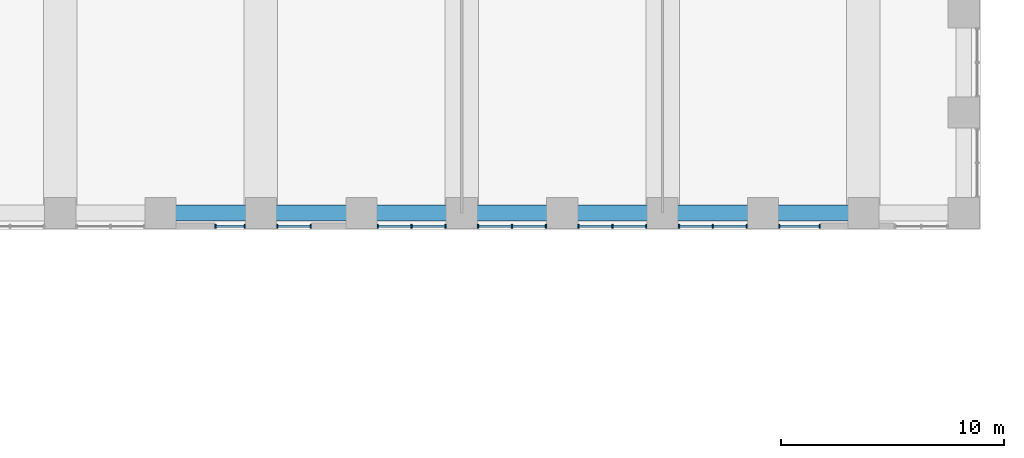
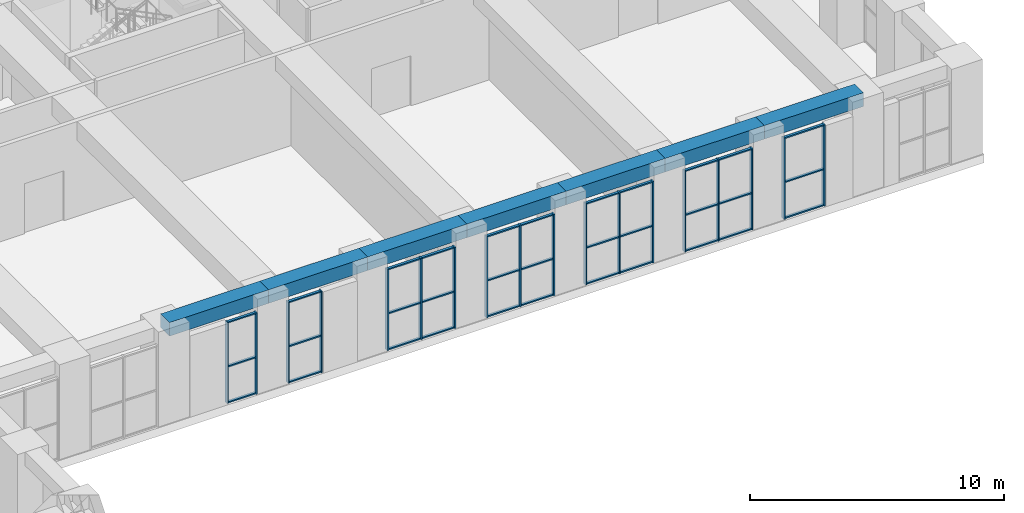
# One storey, part 6 of 34: 51 members, 7 beams, 7 elements without a shape of their own.
"""IFC4 building model written with IfcOpenShell, lengths in metres."""

from ifc_helpers import new_model, si_unit, direction, frame, origin, origin_2d, place, context, subcontext, project, spatial, rectangle, extrude, material, material_profile, profile_set, type_object, element, aggregate, save


model = new_model("IFC4")

# Units and contexts
model_context = context("Model", 3, precision=1e-05, world=origin(), true_north=direction((0.0, 1.0)))
body_context = subcontext(model_context, "Body", "Model", "MODEL_VIEW")
ifc_project = project(units=[si_unit("LENGTHUNIT", "METRE"), si_unit("AREAUNIT", "SQUARE_METRE"), si_unit("VOLUMEUNIT", "CUBIC_METRE"), si_unit("PLANEANGLEUNIT", "RADIAN"), si_unit("MASSUNIT", "GRAM", prefix="KILO")], contexts=[model_context])

# Site, building, storey
site_placement = place(None, origin())
site = spatial("IfcSite", under=ifc_project, at=site_placement, CompositionType="ELEMENT")
building_placement = place(site_placement, origin())
building = spatial("IfcBuilding", under=site, at=building_placement, Name="Firuza Court", CompositionType="ELEMENT")
storey_placement = place(building_placement, frame((0.0, 0.0, 19.0)))
storey = spatial("IfcBuildingStorey", under=building, at=storey_placement, Name="L03", CompositionType="ELEMENT", Elevation=19.0)

# Curtain wall, members
ifc_material_1 = material(Name="Aluminium curtain wall, triple clear glazing", Category="aluminium")
curtain_wall_type = type_object("IfcCurtainWallType", Name="Podium unitised curtain wall CW1", PredefinedType="NOTDEFINED", material=ifc_material_1)
curtain_wall_1_placement = place(storey_placement, origin())
curtain_wall_1 = element("IfcCurtainWall", 1, at=curtain_wall_1_placement, inside=storey, type_object=curtain_wall_type, Name="Podium unitised curtain wall CW1 L03", PredefinedType="NOTDEFINED")
ifc_material_2 = material(Name="Aluminium EN AW-6060 T66", Category="aluminium")
ifc_material_profile_1 = material_profile(ifc_material_2, rectangle(XDim=0.179931640625, YDim=0.06005859375, at=origin_2d()), Name="Mullion 180 x 60 CW1")
ifc_profile_set_1 = profile_set([ifc_material_profile_1], Name="Aluminium EN AW-6060 T66")
member_type_1 = type_object("IfcMemberType", Name="Mullion 180 x 60 CW1", PredefinedType="MULLION", material=ifc_profile_set_1)
member_1_placement = place(storey_placement, frame((33.962646484375, 35.39990234375, 0.0), z_axis=(0.0, 0.0, 1.0), x_axis=(0.0, 1.0, 0.0)))
member_1 = element("IfcMember", 2, at=member_1_placement, type_object=member_type_1, Name="CW1 mullion 1", PredefinedType="MULLION", context=body_context, shape_type="SweptSolid", body=[
    extrude(rectangle(XDim=0.179931640625, YDim=0.06005859375, at=origin_2d()), origin(), (0.0, 0.0, 1.0), 3.89990234375),
])
member_2_placement = place(storey_placement, frame((35.27001953125, 35.39990234375, 0.0), z_axis=(0.0, 0.0, 1.0), x_axis=(0.0, 1.0, 0.0)))
member_2 = element("IfcMember", 3, at=member_2_placement, type_object=member_type_1, Name="CW1 mullion 2", PredefinedType="MULLION", context=body_context, shape_type="SweptSolid", body=[
    extrude(rectangle(XDim=0.179931640625, YDim=0.06005859375, at=origin_2d()), origin(), (0.0, 0.0, 1.0), 3.89990234375),
])

curtain_wall_2_placement = place(storey_placement, origin())
curtain_wall_2 = element("IfcCurtainWall", 4, at=curtain_wall_2_placement, inside=storey, type_object=curtain_wall_type, Name="Podium unitised curtain wall CW1 L03", PredefinedType="NOTDEFINED")
member_3_placement = place(storey_placement, frame((36.72998046875, 35.39990234375, 0.0), z_axis=(0.0, 0.0, 1.0), x_axis=(0.0, 1.0, 0.0)))
member_3 = element("IfcMember", 5, at=member_3_placement, type_object=member_type_1, Name="CW1 mullion 1", PredefinedType="MULLION", context=body_context, shape_type="SweptSolid", body=[
    extrude(rectangle(XDim=0.179931640625, YDim=0.06005859375, at=origin_2d()), origin(), (0.0, 0.0, 1.0), 3.89990234375),
])
member_4_placement = place(storey_placement, frame((38.227783203125, 35.39990234375, 0.0), z_axis=(0.0, 0.0, 1.0), x_axis=(0.0, 1.0, 0.0)))
member_4 = element("IfcMember", 6, at=member_4_placement, type_object=member_type_1, Name="CW1 mullion 2", PredefinedType="MULLION", context=body_context, shape_type="SweptSolid", body=[
    extrude(rectangle(XDim=0.179931640625, YDim=0.06005859375, at=origin_2d()), origin(), (0.0, 0.0, 1.0), 3.89990234375),
])

curtain_wall_3_placement = place(storey_placement, origin())
curtain_wall_3 = element("IfcCurtainWall", 7, at=curtain_wall_3_placement, inside=storey, type_object=curtain_wall_type, Name="Podium unitised curtain wall CW1 L03", PredefinedType="NOTDEFINED")
member_5_placement = place(storey_placement, frame((41.22998046875, 35.39990234375, 0.0), z_axis=(0.0, 0.0, 1.0), x_axis=(0.0, 1.0, 0.0)))
member_5 = element("IfcMember", 8, at=member_5_placement, type_object=member_type_1, Name="CW1 mullion 1", PredefinedType="MULLION", context=body_context, shape_type="SweptSolid", body=[
    extrude(rectangle(XDim=0.179931640625, YDim=0.06005859375, at=origin_2d()), origin(), (0.0, 0.0, 1.0), 3.89990234375),
])
member_6_placement = place(storey_placement, frame((42.75, 35.39990234375, 0.0), z_axis=(0.0, 0.0, 1.0), x_axis=(0.0, 1.0, 0.0)))
member_6 = element("IfcMember", 9, at=member_6_placement, type_object=member_type_1, Name="CW1 mullion 2", PredefinedType="MULLION", context=body_context, shape_type="SweptSolid", body=[
    extrude(rectangle(XDim=0.179931640625, YDim=0.06005859375, at=origin_2d()), origin(), (0.0, 0.0, 1.0), 3.89990234375),
])
member_7_placement = place(storey_placement, frame((44.27001953125, 35.39990234375, 0.0), z_axis=(0.0, 0.0, 1.0), x_axis=(0.0, 1.0, 0.0)))
member_7 = element("IfcMember", 10, at=member_7_placement, type_object=member_type_1, Name="CW1 mullion 3", PredefinedType="MULLION", context=body_context, shape_type="SweptSolid", body=[
    extrude(rectangle(XDim=0.179931640625, YDim=0.06005859375, at=origin_2d()), origin(), (0.0, 0.0, 1.0), 3.89990234375),
])

curtain_wall_4_placement = place(storey_placement, origin())
curtain_wall_4 = element("IfcCurtainWall", 11, at=curtain_wall_4_placement, inside=storey, type_object=curtain_wall_type, Name="Podium unitised curtain wall CW1 L03", PredefinedType="NOTDEFINED")
member_8_placement = place(storey_placement, frame((45.72998046875, 35.39990234375, 0.0), z_axis=(0.0, 0.0, 1.0), x_axis=(0.0, 1.0, 0.0)))
member_8 = element("IfcMember", 12, at=member_8_placement, type_object=member_type_1, Name="CW1 mullion 1", PredefinedType="MULLION", context=body_context, shape_type="SweptSolid", body=[
    extrude(rectangle(XDim=0.179931640625, YDim=0.06005859375, at=origin_2d()), origin(), (0.0, 0.0, 1.0), 3.89990234375),
])
member_9_placement = place(storey_placement, frame((47.25, 35.39990234375, 0.0), z_axis=(0.0, 0.0, 1.0), x_axis=(0.0, 1.0, 0.0)))
member_9 = element("IfcMember", 13, at=member_9_placement, type_object=member_type_1, Name="CW1 mullion 2", PredefinedType="MULLION", context=body_context, shape_type="SweptSolid", body=[
    extrude(rectangle(XDim=0.179931640625, YDim=0.06005859375, at=origin_2d()), origin(), (0.0, 0.0, 1.0), 3.89990234375),
])
member_10_placement = place(storey_placement, frame((48.77001953125, 35.39990234375, 0.0), z_axis=(0.0, 0.0, 1.0), x_axis=(0.0, 1.0, 0.0)))
member_10 = element("IfcMember", 14, at=member_10_placement, type_object=member_type_1, Name="CW1 mullion 3", PredefinedType="MULLION", context=body_context, shape_type="SweptSolid", body=[
    extrude(rectangle(XDim=0.179931640625, YDim=0.06005859375, at=origin_2d()), origin(), (0.0, 0.0, 1.0), 3.89990234375),
])

curtain_wall_5_placement = place(storey_placement, origin())
curtain_wall_5 = element("IfcCurtainWall", 15, at=curtain_wall_5_placement, inside=storey, type_object=curtain_wall_type, Name="Podium unitised curtain wall CW1 L03", PredefinedType="NOTDEFINED")
member_11_placement = place(storey_placement, frame((50.22998046875, 35.39990234375, 0.0), z_axis=(0.0, 0.0, 1.0), x_axis=(0.0, 1.0, 0.0)))
member_11 = element("IfcMember", 16, at=member_11_placement, type_object=member_type_1, Name="CW1 mullion 1", PredefinedType="MULLION", context=body_context, shape_type="SweptSolid", body=[
    extrude(rectangle(XDim=0.179931640625, YDim=0.06005859375, at=origin_2d()), origin(), (0.0, 0.0, 1.0), 3.89990234375),
])
member_12_placement = place(storey_placement, frame((51.75, 35.39990234375, 0.0), z_axis=(0.0, 0.0, 1.0), x_axis=(0.0, 1.0, 0.0)))
member_12 = element("IfcMember", 17, at=member_12_placement, type_object=member_type_1, Name="CW1 mullion 2", PredefinedType="MULLION", context=body_context, shape_type="SweptSolid", body=[
    extrude(rectangle(XDim=0.179931640625, YDim=0.06005859375, at=origin_2d()), origin(), (0.0, 0.0, 1.0), 3.89990234375),
])
member_13_placement = place(storey_placement, frame((53.27001953125, 35.39990234375, 0.0), z_axis=(0.0, 0.0, 1.0), x_axis=(0.0, 1.0, 0.0)))
member_13 = element("IfcMember", 18, at=member_13_placement, type_object=member_type_1, Name="CW1 mullion 3", PredefinedType="MULLION", context=body_context, shape_type="SweptSolid", body=[
    extrude(rectangle(XDim=0.179931640625, YDim=0.06005859375, at=origin_2d()), origin(), (0.0, 0.0, 1.0), 3.89990234375),
])

curtain_wall_6_placement = place(storey_placement, origin())
curtain_wall_6 = element("IfcCurtainWall", 19, at=curtain_wall_6_placement, inside=storey, type_object=curtain_wall_type, Name="Podium unitised curtain wall CW1 L03", PredefinedType="NOTDEFINED")
member_14_placement = place(storey_placement, frame((54.72998046875, 35.39990234375, 0.0), z_axis=(0.0, 0.0, 1.0), x_axis=(0.0, 1.0, 0.0)))
member_14 = element("IfcMember", 20, at=member_14_placement, type_object=member_type_1, Name="CW1 mullion 1", PredefinedType="MULLION", context=body_context, shape_type="SweptSolid", body=[
    extrude(rectangle(XDim=0.179931640625, YDim=0.06005859375, at=origin_2d()), origin(), (0.0, 0.0, 1.0), 3.89990234375),
])
member_15_placement = place(storey_placement, frame((56.25, 35.39990234375, 0.0), z_axis=(0.0, 0.0, 1.0), x_axis=(0.0, 1.0, 0.0)))
member_15 = element("IfcMember", 21, at=member_15_placement, type_object=member_type_1, Name="CW1 mullion 2", PredefinedType="MULLION", context=body_context, shape_type="SweptSolid", body=[
    extrude(rectangle(XDim=0.179931640625, YDim=0.06005859375, at=origin_2d()), origin(), (0.0, 0.0, 1.0), 3.89990234375),
])
member_16_placement = place(storey_placement, frame((57.77001953125, 35.39990234375, 0.0), z_axis=(0.0, 0.0, 1.0), x_axis=(0.0, 1.0, 0.0)))
member_16 = element("IfcMember", 22, at=member_16_placement, type_object=member_type_1, Name="CW1 mullion 3", PredefinedType="MULLION", context=body_context, shape_type="SweptSolid", body=[
    extrude(rectangle(XDim=0.179931640625, YDim=0.06005859375, at=origin_2d()), origin(), (0.0, 0.0, 1.0), 3.89990234375),
])

curtain_wall_7_placement = place(storey_placement, origin())
curtain_wall_7 = element("IfcCurtainWall", 23, at=curtain_wall_7_placement, inside=storey, type_object=curtain_wall_type, Name="Podium unitised curtain wall CW1 L03", PredefinedType="NOTDEFINED")
member_17_placement = place(storey_placement, frame((59.22998046875, 35.39990234375, 0.0), z_axis=(0.0, 0.0, 1.0), x_axis=(0.0, 1.0, 0.0)))
member_17 = element("IfcMember", 24, at=member_17_placement, type_object=member_type_1, Name="CW1 mullion 1", PredefinedType="MULLION", context=body_context, shape_type="SweptSolid", body=[
    extrude(rectangle(XDim=0.179931640625, YDim=0.06005859375, at=origin_2d()), origin(), (0.0, 0.0, 1.0), 3.89990234375),
])
member_18_placement = place(storey_placement, frame((61.045166015625, 35.39990234375, 0.0), z_axis=(0.0, 0.0, 1.0), x_axis=(0.0, 1.0, 0.0)))
member_18 = element("IfcMember", 25, at=member_18_placement, type_object=member_type_1, Name="CW1 mullion 2", PredefinedType="MULLION", context=body_context, shape_type="SweptSolid", body=[
    extrude(rectangle(XDim=0.179931640625, YDim=0.06005859375, at=origin_2d()), origin(), (0.0, 0.0, 1.0), 3.89990234375),
])

# Beams
ifc_material_3 = material(Name="Concrete C40/50", Category="concrete")
ifc_material_profile_2 = material_profile(ifc_material_3, rectangle(XDim=0.699951171875, YDim=0.64990234375, at=origin_2d()), Name="RC 700x650")
ifc_profile_set_2 = profile_set([ifc_material_profile_2], Name="Concrete C40/50")
beam_type = type_object("IfcBeamType", Name="Spandrel beam RC 700x650 C40/50", PredefinedType="BEAM", material=ifc_profile_set_2)
for number, where, z_axis, x_axis, name in (
    (26, (31.5, 36.0, 4.22509765625), (1.0, 0.0, 0.0), (0.0, 1.0, 0.0), "Spandrel beam SP9 level L04"),
    (27, (36.0, 36.0, 4.22509765625), (1.0, 0.0, 0.0), (0.0, 1.0, 0.0), "Spandrel beam SP9 level L04"),
    (28, (40.5, 36.0, 4.22509765625), (1.0, 0.0, 0.0), (0.0, 1.0, 0.0), "Spandrel beam SP9 level L04"),
    (29, (45.0, 36.0, 4.22509765625), (1.0, 0.0, 0.0), (0.0, 1.0, 0.0), "Spandrel beam SP9 level L04"),
    (30, (49.5, 36.0, 4.22509765625), (1.0, 0.0, 0.0), (0.0, 1.0, 0.0), "Spandrel beam SP9 level L04"),
    (31, (54.0, 36.0, 4.22509765625), (1.0, 0.0, 0.0), (0.0, 1.0, 0.0), "Spandrel beam SP9 level L04"),
    (32, (58.5, 36.0, 4.22509765625), (1.0, 0.0, 0.0), (0.0, 1.0, 0.0), "Spandrel beam SP9 level L04"),
):
    element("IfcBeam", number, at=place(storey_placement, frame(where, z_axis=z_axis, x_axis=x_axis)), inside=storey, type_object=beam_type, Name=name, PredefinedType="BEAM", context=body_context, shape_type="SweptSolid", body=[
        extrude(rectangle(XDim=0.699951171875, YDim=0.64990234375, at=origin_2d()), origin(), (0.0, 0.0, 1.0), 4.5),
    ])

# Member
ifc_material_4 = material(Name="Aluminium EN AW-6060 T66", Category="aluminium")
ifc_material_profile_3 = material_profile(ifc_material_4, rectangle(XDim=0.1201171875, YDim=0.06005859375, at=origin_2d()), Name="Transom 120 x 60 CW1")
ifc_profile_set_3 = profile_set([ifc_material_profile_3], Name="Aluminium EN AW-6060 T66")
member_type_2 = type_object("IfcMemberType", Name="Transom 120 x 60 CW1", PredefinedType="USERDEFINED", material=ifc_profile_set_3)
member_19_placement = place(storey_placement, frame((33.99267578125, 35.39990234375, 0.030029296875), z_axis=(1.0, 0.0, 0.0), x_axis=(0.0, 1.0, 0.0)))
member_19 = element("IfcMember", 33, at=member_19_placement, type_object=member_type_2, Name="CW1 transom 1.1", ObjectType="TRANSOM", PredefinedType="USERDEFINED", context=body_context, shape_type="SweptSolid", body=[
    extrude(rectangle(XDim=0.1201171875, YDim=0.06005859375, at=origin_2d()), origin(), (0.0, 0.0, 1.0), 1.247314453125),
])

member_20_placement = place(storey_placement, frame((33.99267578125, 35.39990234375, 1.7548828125), z_axis=(1.0, 0.0, 0.0), x_axis=(0.0, 1.0, 0.0)))
member_20 = element("IfcMember", 34, at=member_20_placement, type_object=member_type_2, Name="CW1 transom 1.2", ObjectType="TRANSOM", PredefinedType="USERDEFINED", context=body_context, shape_type="SweptSolid", body=[
    extrude(rectangle(XDim=0.1201171875, YDim=0.06005859375, at=origin_2d()), origin(), (0.0, 0.0, 1.0), 1.247314453125),
])

member_21_placement = place(storey_placement, frame((33.99267578125, 35.39990234375, 3.8701171875), z_axis=(1.0, 0.0, 0.0), x_axis=(0.0, 1.0, 0.0)))
member_21 = element("IfcMember", 35, at=member_21_placement, type_object=member_type_2, Name="CW1 transom 1.3", ObjectType="TRANSOM", PredefinedType="USERDEFINED", context=body_context, shape_type="SweptSolid", body=[
    extrude(rectangle(XDim=0.1201171875, YDim=0.06005859375, at=origin_2d()), origin(), (0.0, 0.0, 1.0), 1.247314453125),
])

aggregate(curtain_wall_1, [member_1, member_2, member_19, member_20, member_21])

member_22_placement = place(storey_placement, frame((36.760009765625, 35.39990234375, 0.030029296875), z_axis=(1.0, 0.0, 0.0), x_axis=(0.0, 1.0, 0.0)))
member_22 = element("IfcMember", 36, at=member_22_placement, type_object=member_type_2, Name="CW1 transom 1.1", ObjectType="TRANSOM", PredefinedType="USERDEFINED", context=body_context, shape_type="SweptSolid", body=[
    extrude(rectangle(XDim=0.1201171875, YDim=0.06005859375, at=origin_2d()), origin(), (0.0, 0.0, 1.0), 1.437744140625),
])

member_23_placement = place(storey_placement, frame((36.760009765625, 35.39990234375, 1.7548828125), z_axis=(1.0, 0.0, 0.0), x_axis=(0.0, 1.0, 0.0)))
member_23 = element("IfcMember", 37, at=member_23_placement, type_object=member_type_2, Name="CW1 transom 1.2", ObjectType="TRANSOM", PredefinedType="USERDEFINED", context=body_context, shape_type="SweptSolid", body=[
    extrude(rectangle(XDim=0.1201171875, YDim=0.06005859375, at=origin_2d()), origin(), (0.0, 0.0, 1.0), 1.437744140625),
])

member_24_placement = place(storey_placement, frame((36.760009765625, 35.39990234375, 3.8701171875), z_axis=(1.0, 0.0, 0.0), x_axis=(0.0, 1.0, 0.0)))
member_24 = element("IfcMember", 38, at=member_24_placement, type_object=member_type_2, Name="CW1 transom 1.3", ObjectType="TRANSOM", PredefinedType="USERDEFINED", context=body_context, shape_type="SweptSolid", body=[
    extrude(rectangle(XDim=0.1201171875, YDim=0.06005859375, at=origin_2d()), origin(), (0.0, 0.0, 1.0), 1.437744140625),
])

aggregate(curtain_wall_2, [member_3, member_4, member_22, member_23, member_24])

member_25_placement = place(storey_placement, frame((41.260009765625, 35.39990234375, 0.030029296875), z_axis=(1.0, 0.0, 0.0), x_axis=(0.0, 1.0, 0.0)))
member_25 = element("IfcMember", 39, at=member_25_placement, type_object=member_type_2, Name="CW1 transom 1.1", ObjectType="TRANSOM", PredefinedType="USERDEFINED", context=body_context, shape_type="SweptSolid", body=[
    extrude(rectangle(XDim=0.1201171875, YDim=0.06005859375, at=origin_2d()), origin(), (0.0, 0.0, 1.0), 1.4599609375),
])

member_26_placement = place(storey_placement, frame((41.260009765625, 35.39990234375, 1.7548828125), z_axis=(1.0, 0.0, 0.0), x_axis=(0.0, 1.0, 0.0)))
member_26 = element("IfcMember", 40, at=member_26_placement, type_object=member_type_2, Name="CW1 transom 1.2", ObjectType="TRANSOM", PredefinedType="USERDEFINED", context=body_context, shape_type="SweptSolid", body=[
    extrude(rectangle(XDim=0.1201171875, YDim=0.06005859375, at=origin_2d()), origin(), (0.0, 0.0, 1.0), 1.4599609375),
])

member_27_placement = place(storey_placement, frame((41.260009765625, 35.39990234375, 3.8701171875), z_axis=(1.0, 0.0, 0.0), x_axis=(0.0, 1.0, 0.0)))
member_27 = element("IfcMember", 41, at=member_27_placement, type_object=member_type_2, Name="CW1 transom 1.3", ObjectType="TRANSOM", PredefinedType="USERDEFINED", context=body_context, shape_type="SweptSolid", body=[
    extrude(rectangle(XDim=0.1201171875, YDim=0.06005859375, at=origin_2d()), origin(), (0.0, 0.0, 1.0), 1.4599609375),
])

member_28_placement = place(storey_placement, frame((42.780029296875, 35.39990234375, 0.030029296875), z_axis=(1.0, 0.0, 0.0), x_axis=(0.0, 1.0, 0.0)))
member_28 = element("IfcMember", 42, at=member_28_placement, type_object=member_type_2, Name="CW1 transom 2.1", ObjectType="TRANSOM", PredefinedType="USERDEFINED", context=body_context, shape_type="SweptSolid", body=[
    extrude(rectangle(XDim=0.1201171875, YDim=0.06005859375, at=origin_2d()), origin(), (0.0, 0.0, 1.0), 1.4599609375),
])

member_29_placement = place(storey_placement, frame((42.780029296875, 35.39990234375, 1.7548828125), z_axis=(1.0, 0.0, 0.0), x_axis=(0.0, 1.0, 0.0)))
member_29 = element("IfcMember", 43, at=member_29_placement, type_object=member_type_2, Name="CW1 transom 2.2", ObjectType="TRANSOM", PredefinedType="USERDEFINED", context=body_context, shape_type="SweptSolid", body=[
    extrude(rectangle(XDim=0.1201171875, YDim=0.06005859375, at=origin_2d()), origin(), (0.0, 0.0, 1.0), 1.4599609375),
])

member_30_placement = place(storey_placement, frame((42.780029296875, 35.39990234375, 3.8701171875), z_axis=(1.0, 0.0, 0.0), x_axis=(0.0, 1.0, 0.0)))
member_30 = element("IfcMember", 44, at=member_30_placement, type_object=member_type_2, Name="CW1 transom 2.3", ObjectType="TRANSOM", PredefinedType="USERDEFINED", context=body_context, shape_type="SweptSolid", body=[
    extrude(rectangle(XDim=0.1201171875, YDim=0.06005859375, at=origin_2d()), origin(), (0.0, 0.0, 1.0), 1.4599609375),
])

aggregate(curtain_wall_3, [member_5, member_6, member_7, member_25, member_26, member_27, member_28, member_29, member_30])

member_31_placement = place(storey_placement, frame((45.760009765625, 35.39990234375, 0.030029296875), z_axis=(1.0, 0.0, 0.0), x_axis=(0.0, 1.0, 0.0)))
member_31 = element("IfcMember", 45, at=member_31_placement, type_object=member_type_2, Name="CW1 transom 1.1", ObjectType="TRANSOM", PredefinedType="USERDEFINED", context=body_context, shape_type="SweptSolid", body=[
    extrude(rectangle(XDim=0.1201171875, YDim=0.06005859375, at=origin_2d()), origin(), (0.0, 0.0, 1.0), 1.4599609375),
])

member_32_placement = place(storey_placement, frame((45.760009765625, 35.39990234375, 1.7548828125), z_axis=(1.0, 0.0, 0.0), x_axis=(0.0, 1.0, 0.0)))
member_32 = element("IfcMember", 46, at=member_32_placement, type_object=member_type_2, Name="CW1 transom 1.2", ObjectType="TRANSOM", PredefinedType="USERDEFINED", context=body_context, shape_type="SweptSolid", body=[
    extrude(rectangle(XDim=0.1201171875, YDim=0.06005859375, at=origin_2d()), origin(), (0.0, 0.0, 1.0), 1.4599609375),
])

member_33_placement = place(storey_placement, frame((45.760009765625, 35.39990234375, 3.8701171875), z_axis=(1.0, 0.0, 0.0), x_axis=(0.0, 1.0, 0.0)))
member_33 = element("IfcMember", 47, at=member_33_placement, type_object=member_type_2, Name="CW1 transom 1.3", ObjectType="TRANSOM", PredefinedType="USERDEFINED", context=body_context, shape_type="SweptSolid", body=[
    extrude(rectangle(XDim=0.1201171875, YDim=0.06005859375, at=origin_2d()), origin(), (0.0, 0.0, 1.0), 1.4599609375),
])

member_34_placement = place(storey_placement, frame((47.280029296875, 35.39990234375, 0.030029296875), z_axis=(1.0, 0.0, 0.0), x_axis=(0.0, 1.0, 0.0)))
member_34 = element("IfcMember", 48, at=member_34_placement, type_object=member_type_2, Name="CW1 transom 2.1", ObjectType="TRANSOM", PredefinedType="USERDEFINED", context=body_context, shape_type="SweptSolid", body=[
    extrude(rectangle(XDim=0.1201171875, YDim=0.06005859375, at=origin_2d()), origin(), (0.0, 0.0, 1.0), 1.4599609375),
])

member_35_placement = place(storey_placement, frame((47.280029296875, 35.39990234375, 1.7548828125), z_axis=(1.0, 0.0, 0.0), x_axis=(0.0, 1.0, 0.0)))
member_35 = element("IfcMember", 49, at=member_35_placement, type_object=member_type_2, Name="CW1 transom 2.2", ObjectType="TRANSOM", PredefinedType="USERDEFINED", context=body_context, shape_type="SweptSolid", body=[
    extrude(rectangle(XDim=0.1201171875, YDim=0.06005859375, at=origin_2d()), origin(), (0.0, 0.0, 1.0), 1.4599609375),
])

member_36_placement = place(storey_placement, frame((47.280029296875, 35.39990234375, 3.8701171875), z_axis=(1.0, 0.0, 0.0), x_axis=(0.0, 1.0, 0.0)))
member_36 = element("IfcMember", 50, at=member_36_placement, type_object=member_type_2, Name="CW1 transom 2.3", ObjectType="TRANSOM", PredefinedType="USERDEFINED", context=body_context, shape_type="SweptSolid", body=[
    extrude(rectangle(XDim=0.1201171875, YDim=0.06005859375, at=origin_2d()), origin(), (0.0, 0.0, 1.0), 1.4599609375),
])

aggregate(curtain_wall_4, [member_8, member_9, member_10, member_31, member_32, member_33, member_34, member_35, member_36])

member_37_placement = place(storey_placement, frame((50.260009765625, 35.39990234375, 0.030029296875), z_axis=(1.0, 0.0, 0.0), x_axis=(0.0, 1.0, 0.0)))
member_37 = element("IfcMember", 51, at=member_37_placement, type_object=member_type_2, Name="CW1 transom 1.1", ObjectType="TRANSOM", PredefinedType="USERDEFINED", context=body_context, shape_type="SweptSolid", body=[
    extrude(rectangle(XDim=0.1201171875, YDim=0.06005859375, at=origin_2d()), origin(), (0.0, 0.0, 1.0), 1.4599609375),
])

member_38_placement = place(storey_placement, frame((50.260009765625, 35.39990234375, 1.7548828125), z_axis=(1.0, 0.0, 0.0), x_axis=(0.0, 1.0, 0.0)))
member_38 = element("IfcMember", 52, at=member_38_placement, type_object=member_type_2, Name="CW1 transom 1.2", ObjectType="TRANSOM", PredefinedType="USERDEFINED", context=body_context, shape_type="SweptSolid", body=[
    extrude(rectangle(XDim=0.1201171875, YDim=0.06005859375, at=origin_2d()), origin(), (0.0, 0.0, 1.0), 1.4599609375),
])

member_39_placement = place(storey_placement, frame((50.260009765625, 35.39990234375, 3.8701171875), z_axis=(1.0, 0.0, 0.0), x_axis=(0.0, 1.0, 0.0)))
member_39 = element("IfcMember", 53, at=member_39_placement, type_object=member_type_2, Name="CW1 transom 1.3", ObjectType="TRANSOM", PredefinedType="USERDEFINED", context=body_context, shape_type="SweptSolid", body=[
    extrude(rectangle(XDim=0.1201171875, YDim=0.06005859375, at=origin_2d()), origin(), (0.0, 0.0, 1.0), 1.4599609375),
])

member_40_placement = place(storey_placement, frame((51.780029296875, 35.39990234375, 0.030029296875), z_axis=(1.0, 0.0, 0.0), x_axis=(0.0, 1.0, 0.0)))
member_40 = element("IfcMember", 54, at=member_40_placement, type_object=member_type_2, Name="CW1 transom 2.1", ObjectType="TRANSOM", PredefinedType="USERDEFINED", context=body_context, shape_type="SweptSolid", body=[
    extrude(rectangle(XDim=0.1201171875, YDim=0.06005859375, at=origin_2d()), origin(), (0.0, 0.0, 1.0), 1.4599609375),
])

member_41_placement = place(storey_placement, frame((51.780029296875, 35.39990234375, 1.7548828125), z_axis=(1.0, 0.0, 0.0), x_axis=(0.0, 1.0, 0.0)))
member_41 = element("IfcMember", 55, at=member_41_placement, type_object=member_type_2, Name="CW1 transom 2.2", ObjectType="TRANSOM", PredefinedType="USERDEFINED", context=body_context, shape_type="SweptSolid", body=[
    extrude(rectangle(XDim=0.1201171875, YDim=0.06005859375, at=origin_2d()), origin(), (0.0, 0.0, 1.0), 1.4599609375),
])

member_42_placement = place(storey_placement, frame((51.780029296875, 35.39990234375, 3.8701171875), z_axis=(1.0, 0.0, 0.0), x_axis=(0.0, 1.0, 0.0)))
member_42 = element("IfcMember", 56, at=member_42_placement, type_object=member_type_2, Name="CW1 transom 2.3", ObjectType="TRANSOM", PredefinedType="USERDEFINED", context=body_context, shape_type="SweptSolid", body=[
    extrude(rectangle(XDim=0.1201171875, YDim=0.06005859375, at=origin_2d()), origin(), (0.0, 0.0, 1.0), 1.4599609375),
])

aggregate(curtain_wall_5, [member_11, member_12, member_13, member_37, member_38, member_39, member_40, member_41, member_42])

member_43_placement = place(storey_placement, frame((54.760009765625, 35.39990234375, 0.030029296875), z_axis=(1.0, 0.0, 0.0), x_axis=(0.0, 1.0, 0.0)))
member_43 = element("IfcMember", 57, at=member_43_placement, type_object=member_type_2, Name="CW1 transom 1.1", ObjectType="TRANSOM", PredefinedType="USERDEFINED", context=body_context, shape_type="SweptSolid", body=[
    extrude(rectangle(XDim=0.1201171875, YDim=0.06005859375, at=origin_2d()), origin(), (0.0, 0.0, 1.0), 1.4599609375),
])

member_44_placement = place(storey_placement, frame((54.760009765625, 35.39990234375, 1.7548828125), z_axis=(1.0, 0.0, 0.0), x_axis=(0.0, 1.0, 0.0)))
member_44 = element("IfcMember", 58, at=member_44_placement, type_object=member_type_2, Name="CW1 transom 1.2", ObjectType="TRANSOM", PredefinedType="USERDEFINED", context=body_context, shape_type="SweptSolid", body=[
    extrude(rectangle(XDim=0.1201171875, YDim=0.06005859375, at=origin_2d()), origin(), (0.0, 0.0, 1.0), 1.4599609375),
])

member_45_placement = place(storey_placement, frame((54.760009765625, 35.39990234375, 3.8701171875), z_axis=(1.0, 0.0, 0.0), x_axis=(0.0, 1.0, 0.0)))
member_45 = element("IfcMember", 59, at=member_45_placement, type_object=member_type_2, Name="CW1 transom 1.3", ObjectType="TRANSOM", PredefinedType="USERDEFINED", context=body_context, shape_type="SweptSolid", body=[
    extrude(rectangle(XDim=0.1201171875, YDim=0.06005859375, at=origin_2d()), origin(), (0.0, 0.0, 1.0), 1.4599609375),
])

member_46_placement = place(storey_placement, frame((56.280029296875, 35.39990234375, 0.030029296875), z_axis=(1.0, 0.0, 0.0), x_axis=(0.0, 1.0, 0.0)))
member_46 = element("IfcMember", 60, at=member_46_placement, type_object=member_type_2, Name="CW1 transom 2.1", ObjectType="TRANSOM", PredefinedType="USERDEFINED", context=body_context, shape_type="SweptSolid", body=[
    extrude(rectangle(XDim=0.1201171875, YDim=0.06005859375, at=origin_2d()), origin(), (0.0, 0.0, 1.0), 1.4599609375),
])

member_47_placement = place(storey_placement, frame((56.280029296875, 35.39990234375, 1.7548828125), z_axis=(1.0, 0.0, 0.0), x_axis=(0.0, 1.0, 0.0)))
member_47 = element("IfcMember", 61, at=member_47_placement, type_object=member_type_2, Name="CW1 transom 2.2", ObjectType="TRANSOM", PredefinedType="USERDEFINED", context=body_context, shape_type="SweptSolid", body=[
    extrude(rectangle(XDim=0.1201171875, YDim=0.06005859375, at=origin_2d()), origin(), (0.0, 0.0, 1.0), 1.4599609375),
])

member_48_placement = place(storey_placement, frame((56.280029296875, 35.39990234375, 3.8701171875), z_axis=(1.0, 0.0, 0.0), x_axis=(0.0, 1.0, 0.0)))
member_48 = element("IfcMember", 62, at=member_48_placement, type_object=member_type_2, Name="CW1 transom 2.3", ObjectType="TRANSOM", PredefinedType="USERDEFINED", context=body_context, shape_type="SweptSolid", body=[
    extrude(rectangle(XDim=0.1201171875, YDim=0.06005859375, at=origin_2d()), origin(), (0.0, 0.0, 1.0), 1.4599609375),
])

aggregate(curtain_wall_6, [member_14, member_15, member_16, member_43, member_44, member_45, member_46, member_47, member_48])

member_49_placement = place(storey_placement, frame((59.260009765625, 35.39990234375, 0.030029296875), z_axis=(1.0, 0.0, 0.0), x_axis=(0.0, 1.0, 0.0)))
member_49 = element("IfcMember", 63, at=member_49_placement, type_object=member_type_2, Name="CW1 transom 1.1", ObjectType="TRANSOM", PredefinedType="USERDEFINED", context=body_context, shape_type="SweptSolid", body=[
    extrude(rectangle(XDim=0.1201171875, YDim=0.06005859375, at=origin_2d()), origin(), (0.0, 0.0, 1.0), 1.755126953125),
])

member_50_placement = place(storey_placement, frame((59.260009765625, 35.39990234375, 1.7548828125), z_axis=(1.0, 0.0, 0.0), x_axis=(0.0, 1.0, 0.0)))
member_50 = element("IfcMember", 64, at=member_50_placement, type_object=member_type_2, Name="CW1 transom 1.2", ObjectType="TRANSOM", PredefinedType="USERDEFINED", context=body_context, shape_type="SweptSolid", body=[
    extrude(rectangle(XDim=0.1201171875, YDim=0.06005859375, at=origin_2d()), origin(), (0.0, 0.0, 1.0), 1.755126953125),
])

member_51_placement = place(storey_placement, frame((59.260009765625, 35.39990234375, 3.8701171875), z_axis=(1.0, 0.0, 0.0), x_axis=(0.0, 1.0, 0.0)))
member_51 = element("IfcMember", 65, at=member_51_placement, type_object=member_type_2, Name="CW1 transom 1.3", ObjectType="TRANSOM", PredefinedType="USERDEFINED", context=body_context, shape_type="SweptSolid", body=[
    extrude(rectangle(XDim=0.1201171875, YDim=0.06005859375, at=origin_2d()), origin(), (0.0, 0.0, 1.0), 1.755126953125),
])

aggregate(curtain_wall_7, [member_17, member_18, member_49, member_50, member_51])

save(model, "model.ifc")
